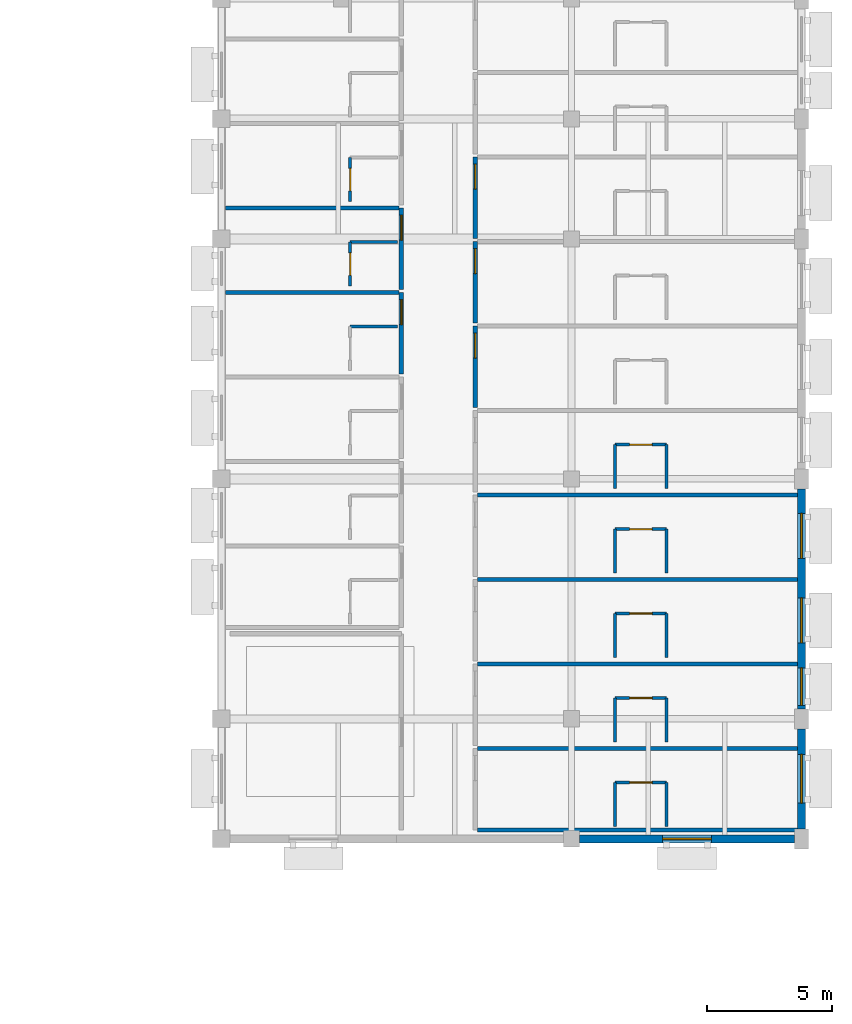
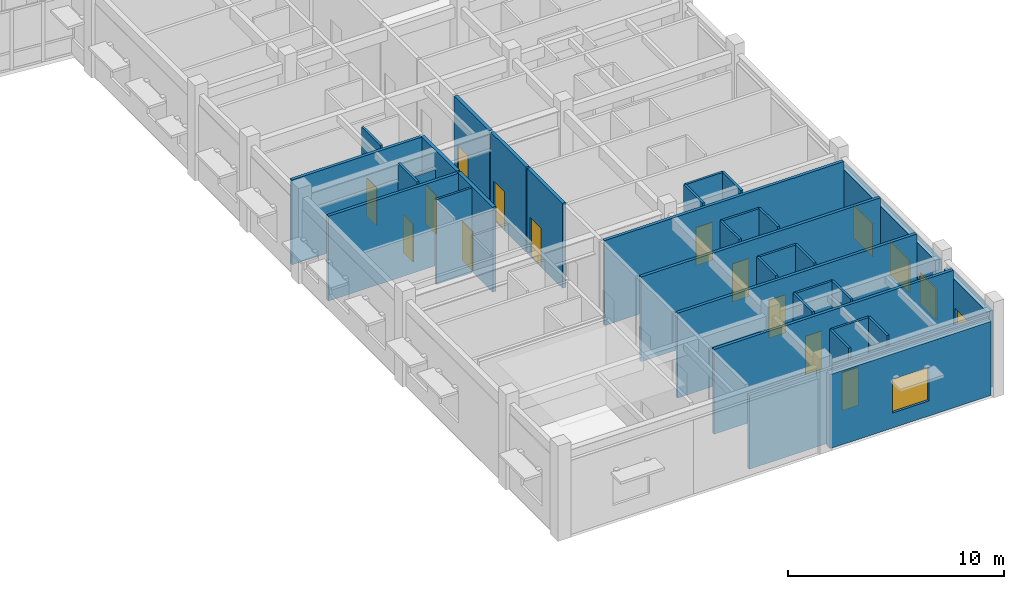
# One storey, part 48 of 68: 34 walls, 12 doors, 5 windows, 17 openings.
"""IFC4 building model written with IfcOpenShell, lengths in metres."""

from ifc_helpers import new_model, si_unit, direction, frame, frame_2d, origin, place, context, subcontext, project, spatial, rectangle, extrude, material, layer, layer_set, type_object, element, fill, save


model = new_model("IFC4")

# Units and contexts
model_context = context("Model", 3, precision=1e-05, world=origin(), true_north=direction((0.0, 1.0)))
body_context = subcontext(model_context, "Body", "Model", "MODEL_VIEW")
ifc_project = project(units=[si_unit("LENGTHUNIT", "METRE"), si_unit("AREAUNIT", "SQUARE_METRE"), si_unit("VOLUMEUNIT", "CUBIC_METRE"), si_unit("PLANEANGLEUNIT", "RADIAN"), si_unit("MASSUNIT", "GRAM", prefix="KILO")], contexts=[model_context])

# Site, building, storey
site_placement = place(None, origin())
site = spatial("IfcSite", under=ifc_project, at=site_placement, CompositionType="ELEMENT")
building_placement = place(site_placement, origin())
building = spatial("IfcBuilding", under=site, at=building_placement, Name="Veldera Park Congress Hotel", CompositionType="ELEMENT")
storey_placement = place(building_placement, frame((0.0, 0.0, 10.800048828125)))
storey = spatial("IfcBuildingStorey", under=building, at=storey_placement, Name="L02", CompositionType="ELEMENT", Elevation=10.800048828125)

# Wall, opening, window
ifc_material_1 = material(Name="Cross-laminated timber CLT V2M1.1", Category="wood")
ifc_layer_1 = layer(ifc_material_1, 0.320068359375)
ifc_layer_set_1 = layer_set([ifc_layer_1], Name="Cross-laminated timber CLT V2M1.1")
wall_type_1 = type_object("IfcWallType", Name="EW-CLT320", PredefinedType="STANDARD", material=ifc_layer_set_1)
wall_1_placement = place(storey_placement, frame((75.123046875, -52.199951171875, 0.0), z_axis=(0.0, 0.0, 1.0), x_axis=(1.0, 0.0, 0.0)))
wall_1 = element("IfcWall", 1, at=wall_1_placement, inside=storey, type_object=wall_type_1, Name="L02 Exterior Wall EW3-L02-0173", PredefinedType="STANDARD", context=body_context, shape_type="SweptSolid", body=[
    extrude(rectangle(XDim=8.60400390625, YDim=0.320068359375, at=frame_2d((4.302001953125, 0.0))), origin(), (0.0, 0.0, 1.0), 4.182861328125),
])
opening_1_placement = place(wall_1_placement, frame((3.326904296875, 0.0, 0.85009765625)))
opening_1 = element("IfcOpeningElement", 2, at=opening_1_placement, cuts=wall_1, Name="Opening WIN-1950", PredefinedType="OPENING", context=body_context, shape_type="SweptSolid", body=[
    extrude(rectangle(XDim=1.949951171875, YDim=1.89990234375, at=frame_2d((0.97509765625, 0.949951171875))), frame((0.0, 0.172119140625, 0.0), z_axis=(0.0, -1.0, 0.0), x_axis=(1.0, 0.0, 0.0)), (0.0, 0.0, 1.0), 0.343994140625),
])
ifc_material_2 = material(Name="Low-E Triple Insulating Glass Unit (SHGC 0.22)", Category="glass")
window_type_1 = type_object("IfcWindowType", Name="WIN-1950", PartitioningType="DOUBLE_PANEL_VERTICAL", PredefinedType="WINDOW", material=ifc_material_2)
window_1_placement = place(opening_1_placement, origin())
window_1 = element("IfcWindow", 3, at=window_1_placement, inside=storey, type_object=window_type_1, Name="L02 Window WIN-1950 177", OverallHeight=1.89990234375, OverallWidth=1.949951171875, PartitioningType="DOUBLE_PANEL_VERTICAL", PredefinedType="WINDOW", context=body_context, shape_type="SweptSolid", body=[
    extrude(rectangle(XDim=1.949951171875, YDim=1.89990234375, at=frame_2d((0.97509765625, 0.949951171875))), frame((0.0, 0.030029296875, 0.0), z_axis=(0.0, -1.0, 0.0), x_axis=(1.0, 0.0, 0.0)), (0.0, 0.0, 1.0), 0.06005859375),
])
fill(opening_1, window_1)

wall_2_placement = place(storey_placement, frame((84.0, -51.802001953125, 0.0), z_axis=(0.0, 0.0, 1.0), x_axis=(0.0, 1.0, 0.0)))
wall_2 = element("IfcWall", 4, at=wall_2_placement, inside=storey, type_object=wall_type_1, Name="L02 Exterior Wall EW3-L02-0174", PredefinedType="STANDARD", context=body_context, shape_type="SweptSolid", body=[
    extrude(rectangle(XDim=4.00390625, YDim=0.320068359375, at=frame_2d((2.001953125, 0.0))), origin(), (0.0, 0.0, 1.0), 4.33203125),
])
opening_2_placement = place(wall_2_placement, frame((1.027099609375, 0.0, 0.85009765625)))
opening_2 = element("IfcOpeningElement", 5, at=opening_2_placement, cuts=wall_2, Name="Opening WIN-1950", PredefinedType="OPENING", context=body_context, shape_type="SweptSolid", body=[
    extrude(rectangle(XDim=1.949951171875, YDim=1.89990234375, at=frame_2d((0.97509765625, 0.949951171875))), frame((0.0, 0.172119140625, 0.0), z_axis=(0.0, -1.0, 0.0), x_axis=(1.0, 0.0, 0.0)), (0.0, 0.0, 1.0), 0.343994140625),
])
window_2_placement = place(opening_2_placement, origin())
window_2 = element("IfcWindow", 6, at=window_2_placement, inside=storey, type_object=window_type_1, Name="L02 Window WIN-1950 178", OverallHeight=1.89990234375, OverallWidth=1.949951171875, PartitioningType="DOUBLE_PANEL_VERTICAL", PredefinedType="WINDOW", context=body_context, shape_type="SweptSolid", body=[
    extrude(rectangle(XDim=1.949951171875, YDim=1.89990234375, at=frame_2d((0.97509765625, 0.949951171875))), frame((0.0, 0.030029296875, 0.0), z_axis=(0.0, -1.0, 0.0), x_axis=(1.0, 0.0, 0.0)), (0.0, 0.0, 1.0), 0.06005859375),
])
fill(opening_2, window_2)

# Wall, openings, windows
wall_3_placement = place(storey_placement, frame((84.0, -47.001953125, 0.0), z_axis=(0.0, 0.0, 1.0), x_axis=(0.0, 1.0, 0.0)))
wall_3 = element("IfcWall", 7, at=wall_3_placement, inside=storey, type_object=wall_type_1, Name="L02 Exterior Wall EW3-L02-0175", PredefinedType="STANDARD", context=body_context, shape_type="SweptSolid", body=[
    extrude(rectangle(XDim=8.803955078125, YDim=0.320068359375, at=frame_2d((4.40185546875, 0.0))), origin(), (0.0, 0.0, 1.0), 4.33203125),
])
opening_3_placement = place(wall_3_placement, frame((0.14599609375, 0.0, 0.85009765625)))
opening_3 = element("IfcOpeningElement", 8, at=opening_3_placement, cuts=wall_3, Name="Opening WIN-1500", PredefinedType="OPENING", context=body_context, shape_type="SweptSolid", body=[
    extrude(rectangle(XDim=1.5, YDim=1.75, at=frame_2d((0.75, 0.875))), frame((0.0, 0.172119140625, 0.0), z_axis=(0.0, -1.0, 0.0), x_axis=(1.0, 0.0, 0.0)), (0.0, 0.0, 1.0), 0.343994140625),
])
opening_4_placement = place(wall_3_placement, frame((2.64208984375, 0.0, 0.85009765625)))
opening_4 = element("IfcOpeningElement", 9, at=opening_4_placement, cuts=wall_3, Name="Opening WIN-1800", PredefinedType="OPENING", context=body_context, shape_type="SweptSolid", body=[
    extrude(rectangle(XDim=1.800048828125, YDim=1.85009765625, at=frame_2d((0.89990234375, 0.925048828125))), frame((0.0, 0.172119140625, 0.0), z_axis=(0.0, -1.0, 0.0), x_axis=(1.0, 0.0, 0.0)), (0.0, 0.0, 1.0), 0.343994140625),
])
opening_5_placement = place(wall_3_placement, frame((6.02197265625, 0.0, 0.85009765625)))
opening_5 = element("IfcOpeningElement", 10, at=opening_5_placement, cuts=wall_3, Name="Opening WIN-1800", PredefinedType="OPENING", context=body_context, shape_type="SweptSolid", body=[
    extrude(rectangle(XDim=1.800048828125, YDim=1.85009765625, at=frame_2d((0.89990234375, 0.925048828125))), frame((0.0, 0.172119140625, 0.0), z_axis=(0.0, -1.0, 0.0), x_axis=(1.0, 0.0, 0.0)), (0.0, 0.0, 1.0), 0.343994140625),
])
window_type_2 = type_object("IfcWindowType", Name="WIN-1500", PartitioningType="SINGLE_PANEL", PredefinedType="WINDOW", material=ifc_material_2)
window_3_placement = place(opening_3_placement, origin())
window_3 = element("IfcWindow", 11, at=window_3_placement, inside=storey, type_object=window_type_2, Name="L02 Window WIN-1500 377", OverallHeight=1.75, OverallWidth=1.5, PartitioningType="SINGLE_PANEL", PredefinedType="WINDOW", context=body_context, shape_type="SweptSolid", body=[
    extrude(rectangle(XDim=1.5, YDim=1.75, at=frame_2d((0.75, 0.875))), frame((0.0, 0.030029296875, 0.0), z_axis=(0.0, -1.0, 0.0), x_axis=(1.0, 0.0, 0.0)), (0.0, 0.0, 1.0), 0.06005859375),
])
fill(opening_3, window_3)
window_type_3 = type_object("IfcWindowType", Name="WIN-1800", PartitioningType="SINGLE_PANEL", PredefinedType="WINDOW", material=ifc_material_2)
window_4_placement = place(opening_4_placement, origin())
window_4 = element("IfcWindow", 12, at=window_4_placement, inside=storey, type_object=window_type_3, Name="L02 Window WIN-1800 378", OverallHeight=1.85009765625, OverallWidth=1.800048828125, PartitioningType="SINGLE_PANEL", PredefinedType="WINDOW", context=body_context, shape_type="SweptSolid", body=[
    extrude(rectangle(XDim=1.800048828125, YDim=1.85009765625, at=frame_2d((0.89990234375, 0.925048828125))), frame((0.0, 0.030029296875, 0.0), z_axis=(0.0, -1.0, 0.0), x_axis=(1.0, 0.0, 0.0)), (0.0, 0.0, 1.0), 0.06005859375),
])
fill(opening_4, window_4)
window_5_placement = place(opening_5_placement, origin())
window_5 = element("IfcWindow", 13, at=window_5_placement, inside=storey, type_object=window_type_3, Name="L02 Window WIN-1800 379", OverallHeight=1.85009765625, OverallWidth=1.800048828125, PartitioningType="SINGLE_PANEL", PredefinedType="WINDOW", context=body_context, shape_type="SweptSolid", body=[
    extrude(rectangle(XDim=1.800048828125, YDim=1.85009765625, at=frame_2d((0.89990234375, 0.925048828125))), frame((0.0, 0.030029296875, 0.0), z_axis=(0.0, -1.0, 0.0), x_axis=(1.0, 0.0, 0.0)), (0.0, 0.0, 1.0), 0.06005859375),
])
fill(opening_5, window_5)

# Wall
ifc_material_3 = material(Name="Fire-Rated Gypsum Board on Cold-Formed Steel Studs", Category="steel")
ifc_layer_2 = layer(ifc_material_3, 0.1201171875)
ifc_layer_set_2 = layer_set([ifc_layer_2], Name="Fire-Rated Gypsum Board on Cold-Formed Steel Studs")
wall_type_2 = type_object("IfcWallType", Name="IW-BATH120", PredefinedType="PARTITIONING", material=ifc_layer_set_2)
wall_4_placement = place(storey_placement, frame((65.949951171875, -31.7099609375, 0.0), z_axis=(0.0, 0.0, 1.0), x_axis=(1.0, 0.0, 0.0)))
element("IfcWall", 14, at=wall_4_placement, inside=storey, type_object=wall_type_2, Name="L02 Partition Wall IW3-L02-00379", PredefinedType="PARTITIONING", context=body_context, shape_type="SweptSolid", body=[
    extrude(rectangle(XDim=1.900146484375, YDim=0.1201171875, at=frame_2d((0.9501953125, 0.0))), origin(), (0.0, 0.0, 1.0), 4.800048828125),
])

# Wall, opening, door
wall_5_placement = place(storey_placement, frame((65.949951171875, -30.080078125, 0.0), z_axis=(0.0, 0.0, 1.0), x_axis=(0.0, 1.0, 0.0)))
wall_5 = element("IfcWall", 15, at=wall_5_placement, inside=storey, type_object=wall_type_2, Name="L02 Partition Wall IW3-L02-00382", PredefinedType="PARTITIONING", context=body_context, shape_type="SweptSolid", body=[
    extrude(rectangle(XDim=1.75, YDim=0.1201171875, at=frame_2d((0.875, 0.0))), origin(), (0.0, 0.0, 1.0), 4.800048828125),
])
opening_6_placement = place(wall_5_placement, frame((0.425048828125, 0.0, 0.0)))
opening_6 = element("IfcOpeningElement", 16, at=opening_6_placement, cuts=wall_5, Name="Opening ID-BATH090", PredefinedType="OPENING", context=body_context, shape_type="SweptSolid", body=[
    extrude(rectangle(XDim=0.89990234375, YDim=2.14990234375, at=frame_2d((0.449951171875, 1.074951171875))), frame((0.0, 0.072021484375, 0.0), z_axis=(0.0, -1.0, 0.0), x_axis=(1.0, 0.0, 0.0)), (0.0, 0.0, 1.0), 0.14404296875),
])
ifc_material_4 = material(Name="Solid Core White Oak Architectural Door", Category="wood")
door_type_1 = type_object("IfcDoorType", Name="ID-BATH090", OperationType="NOTDEFINED", PredefinedType="DOOR", material=ifc_material_4)
door_1_placement = place(opening_6_placement, origin())
door_1 = element("IfcDoor", 17, at=door_1_placement, inside=storey, type_object=door_type_1, Name="L02 En-suite 005 Door ID3-L02-0149 (DR3-ID3-L02-0149)", OperationType="SINGLE_SWING_LEFT", OverallHeight=2.14990234375, OverallWidth=0.89990234375, PredefinedType="DOOR", context=body_context, shape_type="SweptSolid", body=[
    extrude(rectangle(XDim=0.89990234375, YDim=2.14990234375, at=frame_2d((0.449951171875, 1.074951171875))), frame((0.0, 0.02490234375, 0.0), z_axis=(0.0, -1.0, 0.0), x_axis=(1.0, 0.0, 0.0)), (0.0, 0.0, 1.0), 0.050048828125),
])
fill(opening_6, door_1)

# Wall
wall_6_placement = place(storey_placement, frame((65.949951171875, -28.330078125, 0.0), z_axis=(0.0, 0.0, 1.0), x_axis=(1.0, 0.0, 0.0)))
element("IfcWall", 18, at=wall_6_placement, inside=storey, type_object=wall_type_2, Name="L02 Partition Wall IW3-L02-00383", PredefinedType="PARTITIONING", context=body_context, shape_type="SweptSolid", body=[
    extrude(rectangle(XDim=1.900146484375, YDim=0.1201171875, at=frame_2d((0.9501953125, 0.0))), origin(), (0.0, 0.0, 1.0), 3.77490234375),
])

# Wall, opening, door
wall_7_placement = place(storey_placement, frame((65.949951171875, -26.699951171875, 0.0), z_axis=(0.0, 0.0, 1.0), x_axis=(0.0, 1.0, 0.0)))
wall_7 = element("IfcWall", 19, at=wall_7_placement, inside=storey, type_object=wall_type_2, Name="L02 Partition Wall IW3-L02-00386", PredefinedType="PARTITIONING", context=body_context, shape_type="SweptSolid", body=[
    extrude(rectangle(XDim=1.75, YDim=0.1201171875, at=frame_2d((0.875, 0.0))), origin(), (0.0, 0.0, 1.0), 4.800048828125),
])
opening_7_placement = place(wall_7_placement, frame((0.425048828125, 0.0, 0.0)))
opening_7 = element("IfcOpeningElement", 20, at=opening_7_placement, cuts=wall_7, Name="Opening ID-BATH090", PredefinedType="OPENING", context=body_context, shape_type="SweptSolid", body=[
    extrude(rectangle(XDim=0.89990234375, YDim=2.14990234375, at=frame_2d((0.449951171875, 1.074951171875))), frame((0.0, 0.072021484375, 0.0), z_axis=(0.0, -1.0, 0.0), x_axis=(1.0, 0.0, 0.0)), (0.0, 0.0, 1.0), 0.14404296875),
])
door_2_placement = place(opening_7_placement, origin())
door_2 = element("IfcDoor", 21, at=door_2_placement, inside=storey, type_object=door_type_1, Name="L02 En-suite 006 Door ID3-L02-0151 (DR3-ID3-L02-0151)", OperationType="SINGLE_SWING_LEFT", OverallHeight=2.14990234375, OverallWidth=0.89990234375, PredefinedType="DOOR", context=body_context, shape_type="SweptSolid", body=[
    extrude(rectangle(XDim=0.89990234375, YDim=2.14990234375, at=frame_2d((0.449951171875, 1.074951171875))), frame((0.0, 0.02490234375, 0.0), z_axis=(0.0, -1.0, 0.0), x_axis=(1.0, 0.0, 0.0)), (0.0, 0.0, 1.0), 0.050048828125),
])
fill(opening_7, door_2)

# Walls
for number, where, z_axis, x_axis, name in (
    (22, (76.550048828125, -51.699951171875, 0.0), (0.0, 0.0, 1.0), (0.0, 1.0, 0.0), "L02 Partition Wall IW3-L02-00451"),
    (23, (78.60009765625, -51.699951171875, 0.0), (0.0, 0.0, 1.0), (0.0, 1.0, 0.0), "L02 Partition Wall IW3-L02-00452"),
):
    element("IfcWall", number, at=place(storey_placement, frame(where, z_axis=z_axis, x_axis=x_axis)), inside=storey, type_object=wall_type_2, Name=name, PredefinedType="PARTITIONING", context=body_context, shape_type="SweptSolid", body=[
        extrude(rectangle(XDim=1.75, YDim=0.1201171875, at=frame_2d((0.875, 0.0))), origin(), (0.0, 0.0, 1.0), 4.800048828125),
    ])

# Wall, opening, door
wall_8_placement = place(storey_placement, frame((76.550048828125, -49.949951171875, 0.0), z_axis=(0.0, 0.0, 1.0), x_axis=(1.0, 0.0, 0.0)))
wall_8 = element("IfcWall", 24, at=wall_8_placement, inside=storey, type_object=wall_type_2, Name="L02 Partition Wall IW3-L02-00453", PredefinedType="PARTITIONING", context=body_context, shape_type="SweptSolid", body=[
    extrude(rectangle(XDim=2.050048828125, YDim=0.1201171875, at=frame_2d((1.02490234375, 0.0))), origin(), (0.0, 0.0, 1.0), 4.800048828125),
])
opening_8_placement = place(wall_8_placement, frame((0.574951171875, 0.0, 0.0)))
opening_8 = element("IfcOpeningElement", 25, at=opening_8_placement, cuts=wall_8, Name="Opening ID-BATH090", PredefinedType="OPENING", context=body_context, shape_type="SweptSolid", body=[
    extrude(rectangle(XDim=0.89990234375, YDim=2.14990234375, at=frame_2d((0.449951171875, 1.074951171875))), frame((0.0, 0.072021484375, 0.0), z_axis=(0.0, -1.0, 0.0), x_axis=(1.0, 0.0, 0.0)), (0.0, 0.0, 1.0), 0.14404296875),
])
door_3_placement = place(opening_8_placement, origin())
door_3 = element("IfcDoor", 26, at=door_3_placement, inside=storey, type_object=door_type_1, Name="L02 En-suite 022 Door ID3-L02-0183 (DR3-ID3-L02-0183)", OperationType="SINGLE_SWING_LEFT", OverallHeight=2.14990234375, OverallWidth=0.89990234375, PredefinedType="DOOR", context=body_context, shape_type="SweptSolid", body=[
    extrude(rectangle(XDim=0.89990234375, YDim=2.14990234375, at=frame_2d((0.449951171875, 1.074951171875))), frame((0.0, 0.02490234375, 0.0), z_axis=(0.0, -1.0, 0.0), x_axis=(1.0, 0.0, 0.0)), (0.0, 0.0, 1.0), 0.050048828125),
])
fill(opening_8, door_3)

# Walls
for number, where, z_axis, x_axis, name in (
    (27, (76.550048828125, -48.320068359375, 0.0), (0.0, 0.0, 1.0), (0.0, 1.0, 0.0), "L02 Partition Wall IW3-L02-00456"),
    (28, (78.60009765625, -48.320068359375, 0.0), (0.0, 0.0, 1.0), (0.0, 1.0, 0.0), "L02 Partition Wall IW3-L02-00457"),
):
    element("IfcWall", number, at=place(storey_placement, frame(where, z_axis=z_axis, x_axis=x_axis)), inside=storey, type_object=wall_type_2, Name=name, PredefinedType="PARTITIONING", context=body_context, shape_type="SweptSolid", body=[
        extrude(rectangle(XDim=1.75, YDim=0.1201171875, at=frame_2d((0.875, 0.0))), origin(), (0.0, 0.0, 1.0), 4.800048828125),
    ])

# Wall, opening, door
wall_9_placement = place(storey_placement, frame((76.550048828125, -46.570068359375, 0.0), z_axis=(0.0, 0.0, 1.0), x_axis=(1.0, 0.0, 0.0)))
wall_9 = element("IfcWall", 29, at=wall_9_placement, inside=storey, type_object=wall_type_2, Name="L02 Partition Wall IW3-L02-00458", PredefinedType="PARTITIONING", context=body_context, shape_type="SweptSolid", body=[
    extrude(rectangle(XDim=2.050048828125, YDim=0.1201171875, at=frame_2d((1.02490234375, 0.0))), origin(), (0.0, 0.0, 1.0), 4.800048828125),
])
opening_9_placement = place(wall_9_placement, frame((0.574951171875, 0.0, 0.0)))
opening_9 = element("IfcOpeningElement", 30, at=opening_9_placement, cuts=wall_9, Name="Opening ID-BATH090", PredefinedType="OPENING", context=body_context, shape_type="SweptSolid", body=[
    extrude(rectangle(XDim=0.89990234375, YDim=2.14990234375, at=frame_2d((0.449951171875, 1.074951171875))), frame((0.0, 0.072021484375, 0.0), z_axis=(0.0, -1.0, 0.0), x_axis=(1.0, 0.0, 0.0)), (0.0, 0.0, 1.0), 0.14404296875),
])
door_4_placement = place(opening_9_placement, origin())
door_4 = element("IfcDoor", 31, at=door_4_placement, inside=storey, type_object=door_type_1, Name="L02 En-suite 023 Door ID3-L02-0185 (DR3-ID3-L02-0185)", OperationType="SINGLE_SWING_LEFT", OverallHeight=2.14990234375, OverallWidth=0.89990234375, PredefinedType="DOOR", context=body_context, shape_type="SweptSolid", body=[
    extrude(rectangle(XDim=0.89990234375, YDim=2.14990234375, at=frame_2d((0.449951171875, 1.074951171875))), frame((0.0, 0.02490234375, 0.0), z_axis=(0.0, -1.0, 0.0), x_axis=(1.0, 0.0, 0.0)), (0.0, 0.0, 1.0), 0.050048828125),
])
fill(opening_9, door_4)

# Walls
for number, where, z_axis, x_axis, name in (
    (32, (76.550048828125, -44.93994140625, 0.0), (0.0, 0.0, 1.0), (0.0, 1.0, 0.0), "L02 Partition Wall IW3-L02-00461"),
    (33, (78.60009765625, -44.93994140625, 0.0), (0.0, 0.0, 1.0), (0.0, 1.0, 0.0), "L02 Partition Wall IW3-L02-00462"),
):
    element("IfcWall", number, at=place(storey_placement, frame(where, z_axis=z_axis, x_axis=x_axis)), inside=storey, type_object=wall_type_2, Name=name, PredefinedType="PARTITIONING", context=body_context, shape_type="SweptSolid", body=[
        extrude(rectangle(XDim=1.75, YDim=0.1201171875, at=frame_2d((0.875, 0.0))), origin(), (0.0, 0.0, 1.0), 4.800048828125),
    ])

# Wall, opening, door
wall_10_placement = place(storey_placement, frame((76.550048828125, -43.18994140625, 0.0), z_axis=(0.0, 0.0, 1.0), x_axis=(1.0, 0.0, 0.0)))
wall_10 = element("IfcWall", 34, at=wall_10_placement, inside=storey, type_object=wall_type_2, Name="L02 Partition Wall IW3-L02-00463", PredefinedType="PARTITIONING", context=body_context, shape_type="SweptSolid", body=[
    extrude(rectangle(XDim=2.050048828125, YDim=0.1201171875, at=frame_2d((1.02490234375, 0.0))), origin(), (0.0, 0.0, 1.0), 4.800048828125),
])
opening_10_placement = place(wall_10_placement, frame((0.574951171875, 0.0, 0.0)))
opening_10 = element("IfcOpeningElement", 35, at=opening_10_placement, cuts=wall_10, Name="Opening ID-BATH090", PredefinedType="OPENING", context=body_context, shape_type="SweptSolid", body=[
    extrude(rectangle(XDim=0.89990234375, YDim=2.14990234375, at=frame_2d((0.449951171875, 1.074951171875))), frame((0.0, 0.072021484375, 0.0), z_axis=(0.0, -1.0, 0.0), x_axis=(1.0, 0.0, 0.0)), (0.0, 0.0, 1.0), 0.14404296875),
])
door_5_placement = place(opening_10_placement, origin())
door_5 = element("IfcDoor", 36, at=door_5_placement, inside=storey, type_object=door_type_1, Name="L02 En-suite 024 Door ID3-L02-0187 (DR3-ID3-L02-0187)", OperationType="SINGLE_SWING_LEFT", OverallHeight=2.14990234375, OverallWidth=0.89990234375, PredefinedType="DOOR", context=body_context, shape_type="SweptSolid", body=[
    extrude(rectangle(XDim=0.89990234375, YDim=2.14990234375, at=frame_2d((0.449951171875, 1.074951171875))), frame((0.0, 0.02490234375, 0.0), z_axis=(0.0, -1.0, 0.0), x_axis=(1.0, 0.0, 0.0)), (0.0, 0.0, 1.0), 0.050048828125),
])
fill(opening_10, door_5)

# Walls
for number, where, z_axis, x_axis, name in (
    (37, (76.550048828125, -41.56005859375, 0.0), (0.0, 0.0, 1.0), (0.0, 1.0, 0.0), "L02 Partition Wall IW3-L02-00466"),
    (38, (78.60009765625, -41.56005859375, 0.0), (0.0, 0.0, 1.0), (0.0, 1.0, 0.0), "L02 Partition Wall IW3-L02-00467"),
):
    element("IfcWall", number, at=place(storey_placement, frame(where, z_axis=z_axis, x_axis=x_axis)), inside=storey, type_object=wall_type_2, Name=name, PredefinedType="PARTITIONING", context=body_context, shape_type="SweptSolid", body=[
        extrude(rectangle(XDim=1.75, YDim=0.1201171875, at=frame_2d((0.875, 0.0))), origin(), (0.0, 0.0, 1.0), 4.800048828125),
    ])

# Wall, opening, door
wall_11_placement = place(storey_placement, frame((76.550048828125, -39.81005859375, 0.0), z_axis=(0.0, 0.0, 1.0), x_axis=(1.0, 0.0, 0.0)))
wall_11 = element("IfcWall", 39, at=wall_11_placement, inside=storey, type_object=wall_type_2, Name="L02 Partition Wall IW3-L02-00468", PredefinedType="PARTITIONING", context=body_context, shape_type="SweptSolid", body=[
    extrude(rectangle(XDim=2.050048828125, YDim=0.1201171875, at=frame_2d((1.02490234375, 0.0))), origin(), (0.0, 0.0, 1.0), 4.800048828125),
])
opening_11_placement = place(wall_11_placement, frame((0.574951171875, 0.0, 0.0)))
opening_11 = element("IfcOpeningElement", 40, at=opening_11_placement, cuts=wall_11, Name="Opening ID-BATH090", PredefinedType="OPENING", context=body_context, shape_type="SweptSolid", body=[
    extrude(rectangle(XDim=0.89990234375, YDim=2.14990234375, at=frame_2d((0.449951171875, 1.074951171875))), frame((0.0, 0.072021484375, 0.0), z_axis=(0.0, -1.0, 0.0), x_axis=(1.0, 0.0, 0.0)), (0.0, 0.0, 1.0), 0.14404296875),
])
door_6_placement = place(opening_11_placement, origin())
door_6 = element("IfcDoor", 41, at=door_6_placement, inside=storey, type_object=door_type_1, Name="L02 En-suite 025 Door ID3-L02-0189 (DR3-ID3-L02-0189)", OperationType="SINGLE_SWING_LEFT", OverallHeight=2.14990234375, OverallWidth=0.89990234375, PredefinedType="DOOR", context=body_context, shape_type="SweptSolid", body=[
    extrude(rectangle(XDim=0.89990234375, YDim=2.14990234375, at=frame_2d((0.449951171875, 1.074951171875))), frame((0.0, 0.02490234375, 0.0), z_axis=(0.0, -1.0, 0.0), x_axis=(1.0, 0.0, 0.0)), (0.0, 0.0, 1.0), 0.050048828125),
])
fill(opening_11, door_6)

# Walls
for number, where, z_axis, x_axis, name in (
    (42, (76.550048828125, -38.179931640625, 0.0), (0.0, 0.0, 1.0), (0.0, 1.0, 0.0), "L02 Partition Wall IW3-L02-00471"),
    (43, (78.60009765625, -38.179931640625, 0.0), (0.0, 0.0, 1.0), (0.0, 1.0, 0.0), "L02 Partition Wall IW3-L02-00472"),
):
    element("IfcWall", number, at=place(storey_placement, frame(where, z_axis=z_axis, x_axis=x_axis)), inside=storey, type_object=wall_type_2, Name=name, PredefinedType="PARTITIONING", context=body_context, shape_type="SweptSolid", body=[
        extrude(rectangle(XDim=1.75, YDim=0.1201171875, at=frame_2d((0.875, 0.0))), origin(), (0.0, 0.0, 1.0), 4.800048828125),
    ])

# Wall, opening, door
wall_12_placement = place(storey_placement, frame((76.550048828125, -36.429931640625, 0.0), z_axis=(0.0, 0.0, 1.0), x_axis=(1.0, 0.0, 0.0)))
wall_12 = element("IfcWall", 44, at=wall_12_placement, inside=storey, type_object=wall_type_2, Name="L02 Partition Wall IW3-L02-00473", PredefinedType="PARTITIONING", context=body_context, shape_type="SweptSolid", body=[
    extrude(rectangle(XDim=2.050048828125, YDim=0.1201171875, at=frame_2d((1.02490234375, 0.0))), origin(), (0.0, 0.0, 1.0), 4.800048828125),
])
opening_12_placement = place(wall_12_placement, frame((0.574951171875, 0.0, 0.0)))
opening_12 = element("IfcOpeningElement", 45, at=opening_12_placement, cuts=wall_12, Name="Opening ID-BATH090", PredefinedType="OPENING", context=body_context, shape_type="SweptSolid", body=[
    extrude(rectangle(XDim=0.89990234375, YDim=2.14990234375, at=frame_2d((0.449951171875, 1.074951171875))), frame((0.0, 0.072021484375, 0.0), z_axis=(0.0, -1.0, 0.0), x_axis=(1.0, 0.0, 0.0)), (0.0, 0.0, 1.0), 0.14404296875),
])
door_7_placement = place(opening_12_placement, origin())
door_7 = element("IfcDoor", 46, at=door_7_placement, inside=storey, type_object=door_type_1, Name="L02 En-suite 026 Door ID3-L02-0191 (DR3-ID3-L02-0191)", OperationType="SINGLE_SWING_LEFT", OverallHeight=2.14990234375, OverallWidth=0.89990234375, PredefinedType="DOOR", context=body_context, shape_type="SweptSolid", body=[
    extrude(rectangle(XDim=0.89990234375, YDim=2.14990234375, at=frame_2d((0.449951171875, 1.074951171875))), frame((0.0, 0.02490234375, 0.0), z_axis=(0.0, -1.0, 0.0), x_axis=(1.0, 0.0, 0.0)), (0.0, 0.0, 1.0), 0.050048828125),
])
fill(opening_12, door_7)

ifc_layer_3 = layer(ifc_material_3, 0.179931640625)
ifc_layer_set_3 = layer_set([ifc_layer_3], Name="Fire-Rated Gypsum Board on Cold-Formed Steel Studs")
wall_type_3 = type_object("IfcWallType", Name="IW-CORR180", PredefinedType="PARTITIONING", material=ifc_layer_set_3)
wall_13_placement = place(storey_placement, frame((68.0, -33.610107421875, 0.0), z_axis=(0.0, 0.0, 1.0), x_axis=(0.0, 1.0, 0.0)))
wall_13 = element("IfcWall", 47, at=wall_13_placement, inside=storey, type_object=wall_type_3, Name="L02 Corridor Wall IW3-L02-00376", PredefinedType="PARTITIONING", context=body_context, shape_type="SweptSolid", body=[
    extrude(rectangle(XDim=3.260009765625, YDim=0.179931640625, at=frame_2d((1.6298828125, 0.0))), origin(), (0.0, 0.0, 1.0), 4.800048828125),
])
opening_13_placement = place(wall_13_placement, frame((1.97998046875, 0.0, 0.0)))
opening_13 = element("IfcOpeningElement", 48, at=opening_13_placement, cuts=wall_13, Name="Opening ID-UNIT100", PredefinedType="OPENING", context=body_context, shape_type="SweptSolid", body=[
    extrude(rectangle(XDim=1.0, YDim=2.199951171875, at=frame_2d((0.5, 1.10009765625))), frame((0.0, 0.10205078125, 0.0), z_axis=(0.0, -1.0, 0.0), x_axis=(1.0, 0.0, 0.0)), (0.0, 0.0, 1.0), 0.203857421875),
])
door_type_2 = type_object("IfcDoorType", Name="ID-UNIT100", OperationType="NOTDEFINED", PredefinedType="DOOR", material=ifc_material_4)
door_8_placement = place(opening_13_placement, origin())
door_8 = element("IfcDoor", 49, at=door_8_placement, inside=storey, type_object=door_type_2, Name="L02 Guestroom 004 Entry Door (DR3-UD3-L02-004)", OperationType="SINGLE_SWING_RIGHT", OverallHeight=2.199951171875, OverallWidth=1.0, PredefinedType="DOOR", context=body_context, shape_type="SweptSolid", body=[
    extrude(rectangle(XDim=1.0, YDim=2.199951171875, at=frame_2d((0.5, 1.10009765625))), frame((0.0, 0.02490234375, 0.0), z_axis=(0.0, -1.0, 0.0), x_axis=(1.0, 0.0, 0.0)), (0.0, 0.0, 1.0), 0.050048828125),
])
fill(opening_13, door_8)

wall_14_placement = place(storey_placement, frame((68.0, -30.22998046875, 0.0), z_axis=(0.0, 0.0, 1.0), x_axis=(0.0, 1.0, 0.0)))
wall_14 = element("IfcWall", 50, at=wall_14_placement, inside=storey, type_object=wall_type_3, Name="L02 Corridor Wall IW3-L02-00380", PredefinedType="PARTITIONING", context=body_context, shape_type="SweptSolid", body=[
    extrude(rectangle(XDim=3.260009765625, YDim=0.179931640625, at=frame_2d((1.6298828125, 0.0))), origin(), (0.0, 0.0, 1.0), 4.800048828125),
])
opening_14_placement = place(wall_14_placement, frame((1.97998046875, 0.0, 0.0)))
opening_14 = element("IfcOpeningElement", 51, at=opening_14_placement, cuts=wall_14, Name="Opening ID-UNIT100", PredefinedType="OPENING", context=body_context, shape_type="SweptSolid", body=[
    extrude(rectangle(XDim=1.0, YDim=2.199951171875, at=frame_2d((0.5, 1.10009765625))), frame((0.0, 0.10205078125, 0.0), z_axis=(0.0, -1.0, 0.0), x_axis=(1.0, 0.0, 0.0)), (0.0, 0.0, 1.0), 0.203857421875),
])
door_9_placement = place(opening_14_placement, origin())
door_9 = element("IfcDoor", 52, at=door_9_placement, inside=storey, type_object=door_type_2, Name="L02 Guestroom 005 Entry Door (DR3-UD3-L02-005)", OperationType="SINGLE_SWING_RIGHT", OverallHeight=2.199951171875, OverallWidth=1.0, PredefinedType="DOOR", context=body_context, shape_type="SweptSolid", body=[
    extrude(rectangle(XDim=1.0, YDim=2.199951171875, at=frame_2d((0.5, 1.10009765625))), frame((0.0, 0.02490234375, 0.0), z_axis=(0.0, -1.0, 0.0), x_axis=(1.0, 0.0, 0.0)), (0.0, 0.0, 1.0), 0.050048828125),
])
fill(opening_14, door_9)

wall_15_placement = place(storey_placement, frame((70.949951171875, -31.68994140625, 0.0), z_axis=(0.0, 0.0, 1.0), x_axis=(0.0, -1.0, 0.0)))
wall_15 = element("IfcWall", 53, at=wall_15_placement, inside=storey, type_object=wall_type_3, Name="L02 Corridor Wall IW3-L02-00474", PredefinedType="PARTITIONING", context=body_context, shape_type="SweptSolid", body=[
    extrude(rectangle(XDim=3.260009765625, YDim=0.179931640625, at=frame_2d((1.6298828125, 0.0))), origin(), (0.0, 0.0, 1.0), 4.800048828125),
])
opening_15_placement = place(wall_15_placement, frame((0.280029296875, 0.0, 0.0)))
opening_15 = element("IfcOpeningElement", 54, at=opening_15_placement, cuts=wall_15, Name="Opening ID-UNIT100", PredefinedType="OPENING", context=body_context, shape_type="SweptSolid", body=[
    extrude(rectangle(XDim=1.0, YDim=2.199951171875, at=frame_2d((0.5, 1.10009765625))), frame((0.0, 0.10205078125, 0.0), z_axis=(0.0, -1.0, 0.0), x_axis=(1.0, 0.0, 0.0)), (0.0, 0.0, 1.0), 0.203857421875),
])
door_10_placement = place(opening_15_placement, origin())
door_10 = element("IfcDoor", 55, at=door_10_placement, inside=storey, type_object=door_type_2, Name="L02 Guestroom 027 Entry Door (DR3-UD3-L02-027)", OperationType="SINGLE_SWING_RIGHT", OverallHeight=2.199951171875, OverallWidth=1.0, PredefinedType="DOOR", context=body_context, shape_type="SweptSolid", body=[
    extrude(rectangle(XDim=1.0, YDim=2.199951171875, at=frame_2d((0.5, 1.10009765625))), frame((0.0, 0.02490234375, 0.0), z_axis=(0.0, -1.0, 0.0), x_axis=(1.0, 0.0, 0.0)), (0.0, 0.0, 1.0), 0.050048828125),
])
fill(opening_15, door_10)

wall_16_placement = place(storey_placement, frame((70.949951171875, -28.31005859375, 0.0), z_axis=(0.0, 0.0, 1.0), x_axis=(0.0, -1.0, 0.0)))
wall_16 = element("IfcWall", 56, at=wall_16_placement, inside=storey, type_object=wall_type_3, Name="L02 Corridor Wall IW3-L02-00479", PredefinedType="PARTITIONING", context=body_context, shape_type="SweptSolid", body=[
    extrude(rectangle(XDim=3.260009765625, YDim=0.179931640625, at=frame_2d((1.6298828125, 0.0))), origin(), (0.0, 0.0, 1.0), 4.800048828125),
])
opening_16_placement = place(wall_16_placement, frame((0.280029296875, 0.0, 0.0)))
opening_16 = element("IfcOpeningElement", 57, at=opening_16_placement, cuts=wall_16, Name="Opening ID-UNIT100", PredefinedType="OPENING", context=body_context, shape_type="SweptSolid", body=[
    extrude(rectangle(XDim=1.0, YDim=2.199951171875, at=frame_2d((0.5, 1.10009765625))), frame((0.0, 0.10205078125, 0.0), z_axis=(0.0, -1.0, 0.0), x_axis=(1.0, 0.0, 0.0)), (0.0, 0.0, 1.0), 0.203857421875),
])
door_11_placement = place(opening_16_placement, origin())
door_11 = element("IfcDoor", 58, at=door_11_placement, inside=storey, type_object=door_type_2, Name="L02 Guestroom 028 Entry Door (DR3-UD3-L02-028)", OperationType="SINGLE_SWING_RIGHT", OverallHeight=2.199951171875, OverallWidth=1.0, PredefinedType="DOOR", context=body_context, shape_type="SweptSolid", body=[
    extrude(rectangle(XDim=1.0, YDim=2.199951171875, at=frame_2d((0.5, 1.10009765625))), frame((0.0, 0.02490234375, 0.0), z_axis=(0.0, -1.0, 0.0), x_axis=(1.0, 0.0, 0.0)), (0.0, 0.0, 1.0), 0.050048828125),
])
fill(opening_16, door_11)

wall_17_placement = place(storey_placement, frame((70.949951171875, -24.929931640625, 0.0), z_axis=(0.0, 0.0, 1.0), x_axis=(0.0, -1.0, 0.0)))
wall_17 = element("IfcWall", 59, at=wall_17_placement, inside=storey, type_object=wall_type_3, Name="L02 Corridor Wall IW3-L02-00484", PredefinedType="PARTITIONING", context=body_context, shape_type="SweptSolid", body=[
    extrude(rectangle(XDim=3.260009765625, YDim=0.179931640625, at=frame_2d((1.6298828125, 0.0))), origin(), (0.0, 0.0, 1.0), 4.800048828125),
])
opening_17_placement = place(wall_17_placement, frame((0.280029296875, 0.0, 0.0)))
opening_17 = element("IfcOpeningElement", 60, at=opening_17_placement, cuts=wall_17, Name="Opening ID-UNIT100", PredefinedType="OPENING", context=body_context, shape_type="SweptSolid", body=[
    extrude(rectangle(XDim=1.0, YDim=2.199951171875, at=frame_2d((0.5, 1.10009765625))), frame((0.0, 0.10205078125, 0.0), z_axis=(0.0, -1.0, 0.0), x_axis=(1.0, 0.0, 0.0)), (0.0, 0.0, 1.0), 0.203857421875),
])
door_12_placement = place(opening_17_placement, origin())
door_12 = element("IfcDoor", 61, at=door_12_placement, inside=storey, type_object=door_type_2, Name="L02 Guestroom 029 Entry Door (DR3-UD3-L02-029)", OperationType="SINGLE_SWING_RIGHT", OverallHeight=2.199951171875, OverallWidth=1.0, PredefinedType="DOOR", context=body_context, shape_type="SweptSolid", body=[
    extrude(rectangle(XDim=1.0, YDim=2.199951171875, at=frame_2d((0.5, 1.10009765625))), frame((0.0, 0.02490234375, 0.0), z_axis=(0.0, -1.0, 0.0), x_axis=(1.0, 0.0, 0.0)), (0.0, 0.0, 1.0), 0.050048828125),
])
fill(opening_17, door_12)

# Walls
ifc_layer_4 = layer(ifc_material_1, 0.159912109375)
ifc_layer_set_4 = layer_set([ifc_layer_4], Name="Cross-laminated timber CLT V2M1.1")
wall_type_4 = type_object("IfcWallType", Name="IW-UNIT160", PredefinedType="PARTITIONING", material=ifc_layer_set_4)
for number, where, z_axis, x_axis, name in (
    (62, (60.9599609375, -30.35009765625, 0.0), (0.0, 0.0, 1.0), (1.0, 0.0, 0.0), "L02 Partition Wall IW3-L02-00377"),
    (63, (60.9599609375, -26.969970703125, 0.0), (0.0, 0.0, 1.0), (1.0, 0.0, 0.0), "L02 Partition Wall IW3-L02-00381"),
):
    element("IfcWall", number, at=place(storey_placement, frame(where, z_axis=z_axis, x_axis=x_axis)), inside=storey, type_object=wall_type_4, Name=name, PredefinedType="PARTITIONING", context=body_context, shape_type="SweptSolid", body=[
        extrude(rectangle(XDim=6.93994140625, YDim=0.159912109375, at=frame_2d((3.469970703125, 0.0))), origin(), (0.0, 0.0, 1.0), 4.800048828125),
    ])
wall_18_placement = place(storey_placement, frame((71.050048828125, -51.85009765625, 0.0), z_axis=(0.0, 0.0, 1.0), x_axis=(1.0, 0.0, 0.0)))
element("IfcWall", 64, at=wall_18_placement, inside=storey, type_object=wall_type_4, Name="L02 Partition Wall IW3-L02-00449", PredefinedType="PARTITIONING", context=body_context, shape_type="SweptSolid", body=[
    extrude(rectangle(XDim=12.7900390625, YDim=0.159912109375, at=frame_2d((6.39501953125, 0.0))), origin(), (0.0, 0.0, 1.0), 4.182861328125),
])
for number, where, z_axis, x_axis, name in (
    (65, (71.050048828125, -48.590087890625, 0.0), (0.0, 0.0, 1.0), (1.0, 0.0, 0.0), "L02 Partition Wall IW3-L02-00450"),
    (66, (71.050048828125, -45.2099609375, 0.0), (0.0, 0.0, 1.0), (1.0, 0.0, 0.0), "L02 Partition Wall IW3-L02-00455"),
    (67, (71.050048828125, -41.830078125, 0.0), (0.0, 0.0, 1.0), (1.0, 0.0, 0.0), "L02 Partition Wall IW3-L02-00460"),
    (68, (71.050048828125, -38.449951171875, 0.0), (0.0, 0.0, 1.0), (1.0, 0.0, 0.0), "L02 Partition Wall IW3-L02-00465"),
):
    element("IfcWall", number, at=place(storey_placement, frame(where, z_axis=z_axis, x_axis=x_axis)), inside=storey, type_object=wall_type_4, Name=name, PredefinedType="PARTITIONING", context=body_context, shape_type="SweptSolid", body=[
        extrude(rectangle(XDim=12.7900390625, YDim=0.159912109375, at=frame_2d((6.39501953125, 0.0))), origin(), (0.0, 0.0, 1.0), 4.800048828125),
    ])

save(model, "model.ifc")
